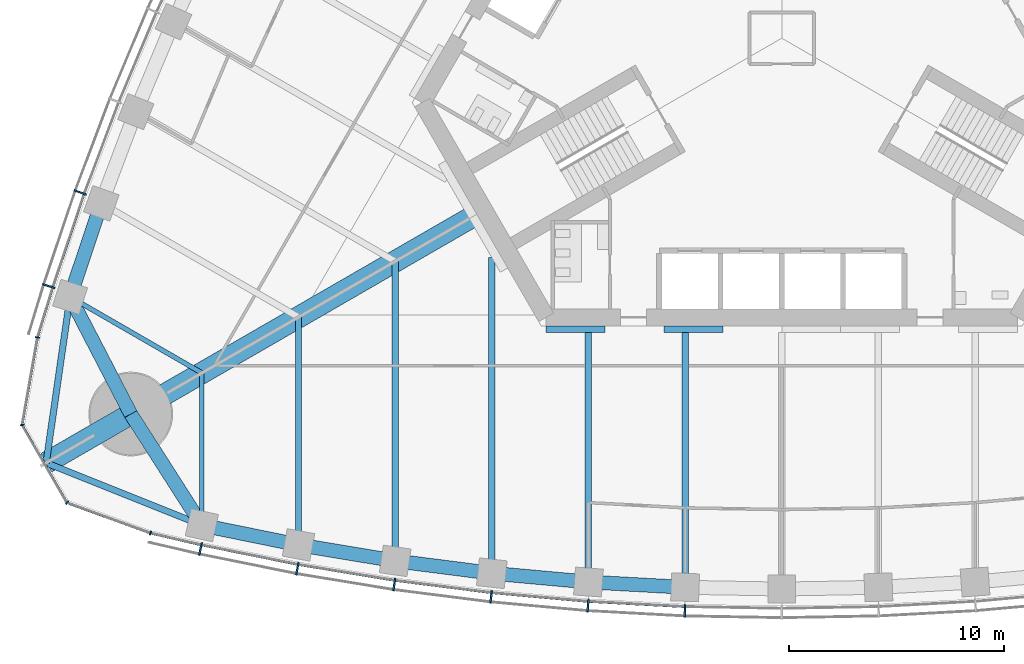
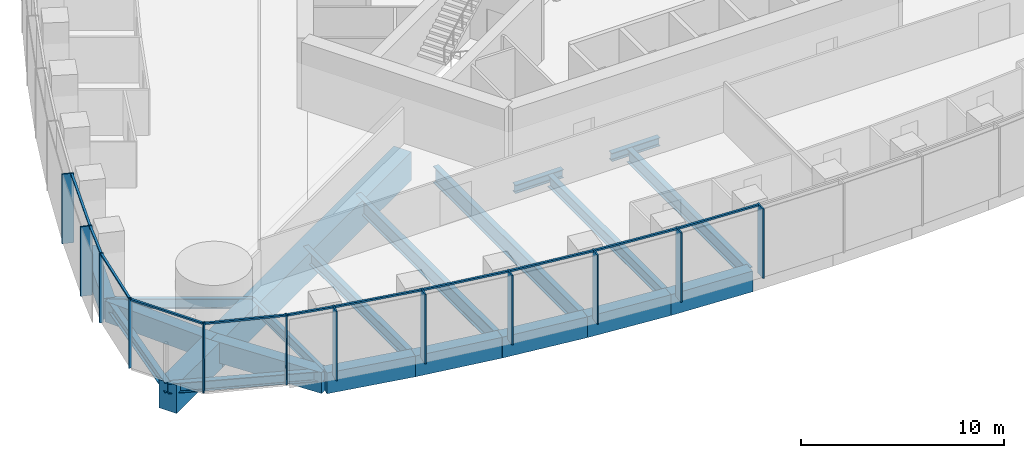
# One storey, part 2 of 19: 23 members, 21 beams, 3 elements without a shape of their own.
"""IFC4 building model written with IfcOpenShell, lengths in metres."""

from ifc_helpers import new_model, si_unit, direction, frame, origin, origin_2d, place, context, subcontext, project, spatial, rectangle, i_section, extrude, material, material_profile, profile_set, type_object, element, aggregate, save


model = new_model("IFC4")

# Units and contexts
model_context = context("Model", 3, precision=1e-05, world=origin(), true_north=direction((0.0, 1.0)))
body_context = subcontext(model_context, "Body", "Model", "MODEL_VIEW")
ifc_project = project(units=[si_unit("LENGTHUNIT", "METRE"), si_unit("AREAUNIT", "SQUARE_METRE"), si_unit("VOLUMEUNIT", "CUBIC_METRE"), si_unit("PLANEANGLEUNIT", "RADIAN"), si_unit("MASSUNIT", "GRAM", prefix="KILO")], contexts=[model_context])

# Site, building, storey
site_placement = place(None, origin())
site = spatial("IfcSite", under=ifc_project, at=site_placement, CompositionType="ELEMENT")
building_placement = place(site_placement, origin())
building = spatial("IfcBuilding", under=site, at=building_placement, Name="Trefoil Bronze Tower", CompositionType="ELEMENT")
storey_placement = place(building_placement, frame((0.0, 0.0, 132.5)))
storey = spatial("IfcBuildingStorey", under=building, at=storey_placement, Name="L30", CompositionType="ELEMENT", Elevation=132.5)

# Curtain wall, members
ifc_material_1 = material(Name="Tinted solar-control glass", Category="glass")
curtain_wall_type_1 = type_object("IfcCurtainWallType", Name="Bronze office curtain wall", PredefinedType="USERDEFINED", material=ifc_material_1)
curtain_wall_1_placement = place(storey_placement, origin())
curtain_wall_1 = element("IfcCurtainWall", 1, at=curtain_wall_1_placement, inside=storey, type_object=curtain_wall_type_1, Name="CW-A L30 F1", ObjectType="CURTAIN WALL", PredefinedType="USERDEFINED")
ifc_material_2 = material(Name="Bronze-finish aluminium", Category="aluminium")
ifc_material_profile_1 = material_profile(ifc_material_2, rectangle(XDim=0.60009765625, YDim=0.080078125, at=origin_2d()), Name="CW-A mullion")
ifc_profile_set_1 = profile_set([ifc_material_profile_1], Name="Bronze-finish aluminium")
member_type_1 = type_object("IfcMemberType", Name="Bronze office curtain wall mullion", PredefinedType="MULLION", material=ifc_profile_set_1)
member_1_placement = place(storey_placement, frame((-27.0634765625, -23.7890625, 0.0), z_axis=(0.0, 0.0, 1.0), x_axis=(0.21197042503, 0.977276081214, 0.0)))
member_1 = element("IfcMember", 2, at=member_1_placement, type_object=member_type_1, Name="CW-A L30 F1 mullion 2", PredefinedType="MULLION", context=body_context, shape_type="SweptSolid", body=[
    extrude(rectangle(XDim=0.60009765625, YDim=0.080078125, at=origin_2d()), origin(), (0.0, 0.0, 1.0), 4.179931640625),
])
member_2_placement = place(storey_placement, frame((-22.553955078125, -24.700927734375, 0.0), z_axis=(0.0, 0.0, 1.0), x_axis=(0.180240853954, 0.98362250613, 0.0)))
member_2 = element("IfcMember", 3, at=member_2_placement, type_object=member_type_1, Name="CW-A L30 F1 mullion 3", PredefinedType="MULLION", context=body_context, shape_type="SweptSolid", body=[
    extrude(rectangle(XDim=0.60009765625, YDim=0.080078125, at=origin_2d()), origin(), (0.0, 0.0, 1.0), 4.179931640625),
])
member_3_placement = place(storey_placement, frame((-18.043212890625, -25.4423828125, 0.0), z_axis=(0.0, 0.0, 1.0), x_axis=(0.144192103798, 0.989549714366, 0.0)))
member_3 = element("IfcMember", 4, at=member_3_placement, type_object=member_type_1, Name="CW-A L30 F1 mullion 4", PredefinedType="MULLION", context=body_context, shape_type="SweptSolid", body=[
    extrude(rectangle(XDim=0.60009765625, YDim=0.080078125, at=origin_2d()), origin(), (0.0, 0.0, 1.0), 4.179931640625),
])
member_4_placement = place(storey_placement, frame((-13.532470703125, -26.01611328125, 0.0), z_axis=(0.0, 0.0, 1.0), x_axis=(0.108143747013, 0.994135267447, 0.0)))
member_4 = element("IfcMember", 5, at=member_4_placement, type_object=member_type_1, Name="CW-A L30 F1 mullion 5", PredefinedType="MULLION", context=body_context, shape_type="SweptSolid", body=[
    extrude(rectangle(XDim=0.60009765625, YDim=0.080078125, at=origin_2d()), origin(), (0.0, 0.0, 1.0), 4.179931640625),
])
member_5_placement = place(storey_placement, frame((-9.021728515625, -26.424072265625, 0.0), z_axis=(0.0, 0.0, 1.0), x_axis=(0.072095676284, 0.997397720802, 0.0)))
member_5 = element("IfcMember", 6, at=member_5_placement, type_object=member_type_1, Name="CW-A L30 F1 mullion 6", PredefinedType="MULLION", context=body_context, shape_type="SweptSolid", body=[
    extrude(rectangle(XDim=0.60009765625, YDim=0.080078125, at=origin_2d()), origin(), (0.0, 0.0, 1.0), 4.179931640625),
])
member_6_placement = place(storey_placement, frame((-4.5107421875, -26.66845703125, 0.0), z_axis=(0.0, 0.0, 1.0), x_axis=(0.036047792107, 0.999350067136, 0.0)))
member_6 = element("IfcMember", 7, at=member_6_placement, type_object=member_type_1, Name="CW-A L30 F1 mullion 7", PredefinedType="MULLION", context=body_context, shape_type="SweptSolid", body=[
    extrude(rectangle(XDim=0.60009765625, YDim=0.080078125, at=origin_2d()), origin(), (0.0, 0.0, 1.0), 4.179931640625),
])

curtain_wall_2_placement = place(storey_placement, origin())
curtain_wall_2 = element("IfcCurtainWall", 8, at=curtain_wall_2_placement, inside=storey, type_object=curtain_wall_type_1, Name="CW-A L30 F3", ObjectType="CURTAIN WALL", PredefinedType="USERDEFINED")
member_7_placement = place(storey_placement, frame((-32.668701171875, -7.181884765625, 0.0), z_axis=(0.0, 0.0, 1.0), x_axis=(0.94196250502, -0.335718094742, 0.0)))
member_7 = element("IfcMember", 9, at=member_7_placement, type_object=member_type_1, Name="CW-A L30 F3 mullion 13", PredefinedType="MULLION", context=body_context, shape_type="SweptSolid", body=[
    extrude(rectangle(XDim=0.60009765625, YDim=0.080078125, at=origin_2d()), origin(), (0.0, 0.0, 1.0), 4.179931640625),
])
member_8_placement = place(storey_placement, frame((-34.1337890625, -11.543212890625, 0.0), z_axis=(0.0, 0.0, 1.0), x_axis=(0.952331125357, -0.30506626768, 0.0)))
member_8 = element("IfcMember", 10, at=member_8_placement, type_object=member_type_1, Name="CW-A L30 F3 mullion 14", PredefinedType="MULLION", context=body_context, shape_type="SweptSolid", body=[
    extrude(rectangle(XDim=0.60009765625, YDim=0.080078125, at=origin_2d()), origin(), (0.0, 0.0, 1.0), 4.179931640625),
])

# Member
ifc_material_3 = material(Name="Bronze-finish aluminium", Category="aluminium")
ifc_material_profile_2 = material_profile(ifc_material_3, rectangle(XDim=0.1201171875, YDim=0.10009765625, at=origin_2d()), Name="CW-A transom")
ifc_profile_set_2 = profile_set([ifc_material_profile_2], Name="Bronze-finish aluminium")
member_type_2 = type_object("IfcMemberType", Name="Bronze office curtain wall transom", PredefinedType="USERDEFINED", material=ifc_profile_set_2)
member_9_placement = place(storey_placement, frame((-29.34130859375, -23.05615234375, 4.1298828125), z_axis=(0.974206243495, -0.225659467196, 0.0), x_axis=(0.225659467196, 0.974206243495, 0.0)))
member_9 = element("IfcMember", 11, at=member_9_placement, type_object=member_type_2, Name="CW-A L30 F1 transom 1", ObjectType="TRANSOM", PredefinedType="USERDEFINED", context=body_context, shape_type="SweptSolid", body=[
    extrude(rectangle(XDim=0.1201171875, YDim=0.10009765625, at=origin_2d()), origin(), (0.0, 0.0, 1.0), 2.340087890625),
])

member_10_placement = place(storey_placement, frame((-26.980712890625, -23.601806640625, 4.1298828125), z_axis=(0.980153749225, -0.198238815273, 0.0), x_axis=(0.198238815273, 0.980153749225, 0.0)))
member_10 = element("IfcMember", 12, at=member_10_placement, type_object=member_type_2, Name="CW-A L30 F1 transom 2", ObjectType="TRANSOM", PredefinedType="USERDEFINED", context=body_context, shape_type="SweptSolid", body=[
    extrude(rectangle(XDim=0.1201171875, YDim=0.10009765625, at=origin_2d()), origin(), (0.0, 0.0, 1.0), 4.51123046875),
])

member_11_placement = place(storey_placement, frame((-22.476806640625, -24.510986328125, 4.1298828125), z_axis=(0.986755265284, -0.162216048636, 0.0), x_axis=(0.162216048636, 0.986755265284, 0.0)))
member_11 = element("IfcMember", 13, at=member_11_placement, type_object=member_type_2, Name="CW-A L30 F1 transom 3", ObjectType="TRANSOM", PredefinedType="USERDEFINED", context=body_context, shape_type="SweptSolid", body=[
    extrude(rectangle(XDim=0.1201171875, YDim=0.10009765625, at=origin_2d()), origin(), (0.0, 0.0, 1.0), 4.48046875),
])

member_12_placement = place(storey_placement, frame((-17.972900390625, -25.249755859375, 4.1298828125), z_axis=(0.992008387848, -0.12617193998, 0.0), x_axis=(0.12617193998, 0.992008387848, 0.0)))
member_12 = element("IfcMember", 14, at=member_12_placement, type_object=member_type_2, Name="CW-A L30 F1 transom 4", ObjectType="TRANSOM", PredefinedType="USERDEFINED", context=body_context, shape_type="SweptSolid", body=[
    extrude(rectangle(XDim=0.1201171875, YDim=0.10009765625, at=origin_2d()), origin(), (0.0, 0.0, 1.0), 4.456298828125),
])

member_13_placement = place(storey_placement, frame((-13.46923828125, -25.821044921875, 4.1298828125), z_axis=(0.995932787062, -0.090099298863, 0.0), x_axis=(0.090099298863, 0.995932787062, 0.0)))
member_13 = element("IfcMember", 15, at=member_13_placement, type_object=member_type_2, Name="CW-A L30 F1 transom 5", ObjectType="TRANSOM", PredefinedType="USERDEFINED", context=body_context, shape_type="SweptSolid", body=[
    extrude(rectangle(XDim=0.1201171875, YDim=0.10009765625, at=origin_2d()), origin(), (0.0, 0.0, 1.0), 4.4384765625),
])

member_14_placement = place(storey_placement, frame((-8.965576171875, -26.22705078125, 4.1298828125), z_axis=(0.998538253569, -0.054049571306, 0.0), x_axis=(0.054049571306, 0.998538253569, 0.0)))
member_14 = element("IfcMember", 16, at=member_14_placement, type_object=member_type_2, Name="CW-A L30 F1 transom 6", ObjectType="TRANSOM", PredefinedType="USERDEFINED", context=body_context, shape_type="SweptSolid", body=[
    extrude(rectangle(XDim=0.1201171875, YDim=0.10009765625, at=origin_2d()), origin(), (0.0, 0.0, 1.0), 4.4267578125),
])

aggregate(curtain_wall_1, [member_1, member_2, member_3, member_4, member_5, member_6, member_9, member_10, member_11, member_12, member_13, member_14])

member_15_placement = place(storey_placement, frame((-32.49365234375, -7.28857421875, 4.1298828125), z_axis=(-0.318386323729, -0.947961048178, 0.0), x_axis=(0.947961048178, -0.318386323729, 0.0)))
member_15 = element("IfcMember", 17, at=member_15_placement, type_object=member_type_2, Name="CW-A L30 F3 transom 13", ObjectType="TRANSOM", PredefinedType="USERDEFINED", context=body_context, shape_type="SweptSolid", body=[
    extrude(rectangle(XDim=0.1201171875, YDim=0.10009765625, at=origin_2d()), origin(), (0.0, 0.0, 1.0), 4.51123046875),
])

member_16_placement = place(storey_placement, frame((-33.955322265625, -11.643798828125, 4.1298828125), z_axis=(-0.291680468798, -0.956515814883, 0.0), x_axis=(0.956515814883, -0.291680468798, 0.0)))
member_16 = element("IfcMember", 18, at=member_16_placement, type_object=member_type_2, Name="CW-A L30 F3 transom 14", ObjectType="TRANSOM", PredefinedType="USERDEFINED", context=body_context, shape_type="SweptSolid", body=[
    extrude(rectangle(XDim=0.1201171875, YDim=0.10009765625, at=origin_2d()), origin(), (0.0, 0.0, 1.0), 2.34033203125),
])

aggregate(curtain_wall_2, [member_7, member_8, member_15, member_16])

# Curtain wall, members
ifc_material_4 = material(Name="Tinted solar-control glass", Category="glass")
curtain_wall_type_2 = type_object("IfcCurtainWallType", Name="Bronze rounded corner curtain wall", PredefinedType="USERDEFINED", material=ifc_material_4)
curtain_wall_3_placement = place(storey_placement, origin())
curtain_wall_3 = element("IfcCurtainWall", 19, at=curtain_wall_3_placement, inside=storey, type_object=curtain_wall_type_2, Name="CW-B L30 K3", ObjectType="CURTAIN WALL", PredefinedType="USERDEFINED")
ifc_material_5 = material(Name="Bronze-finish aluminium", Category="aluminium")
ifc_material_profile_3 = material_profile(ifc_material_5, rectangle(XDim=0.199951171875, YDim=0.06005859375, at=origin_2d()), Name="CW-B mullion")
ifc_profile_set_3 = profile_set([ifc_material_profile_3], Name="Bronze-finish aluminium")
member_type_3 = type_object("IfcMemberType", Name="Bronze rounded corner curtain wall mullion", PredefinedType="MULLION", material=ifc_profile_set_3)
member_17_placement = place(storey_placement, frame((-34.65234375, -13.932373046875, 0.0), z_axis=(0.0, 0.0, 1.0), x_axis=(0.984807753012, -0.173648177667, 0.0)))
member_17 = element("IfcMember", 20, at=member_17_placement, type_object=member_type_3, Name="CW-B L30 K3 mullion 1", PredefinedType="MULLION", context=body_context, shape_type="SweptSolid", body=[
    extrude(rectangle(XDim=0.199951171875, YDim=0.06005859375, at=origin_2d()), origin(), (0.0, 0.0, 1.0), 4.179931640625),
])
member_18_placement = place(storey_placement, frame((-35.364990234375, -18.009033203125, 0.0), z_axis=(0.0, 0.0, 1.0), x_axis=(0.984807753012, 0.173648177667, 0.0)))
member_18 = element("IfcMember", 21, at=member_18_placement, type_object=member_type_3, Name="CW-B L30 K3 mullion 2", PredefinedType="MULLION", context=body_context, shape_type="SweptSolid", body=[
    extrude(rectangle(XDim=0.199951171875, YDim=0.06005859375, at=origin_2d()), origin(), (0.0, 0.0, 1.0), 4.179931640625),
])
member_19_placement = place(storey_placement, frame((-33.27880859375, -21.62255859375, 0.0), z_axis=(0.0, 0.0, 1.0), x_axis=(0.642787609687, 0.766044443119, 0.0)))
member_19 = element("IfcMember", 22, at=member_19_placement, type_object=member_type_3, Name="CW-B L30 K3 mullion 3", PredefinedType="MULLION", context=body_context, shape_type="SweptSolid", body=[
    extrude(rectangle(XDim=0.199951171875, YDim=0.06005859375, at=origin_2d()), origin(), (0.0, 0.0, 1.0), 4.179931640625),
])
member_20_placement = place(storey_placement, frame((-29.391845703125, -23.043701171875, 0.0), z_axis=(0.0, 0.0, 1.0), x_axis=(0.342020143326, 0.939692620786, 0.0)))
member_20 = element("IfcMember", 23, at=member_20_placement, type_object=member_type_3, Name="CW-B L30 K3 mullion 4", PredefinedType="MULLION", context=body_context, shape_type="SweptSolid", body=[
    extrude(rectangle(XDim=0.199951171875, YDim=0.06005859375, at=origin_2d()), origin(), (0.0, 0.0, 1.0), 4.179931640625),
])
ifc_material_6 = material(Name="Bronze-finish aluminium", Category="aluminium")
ifc_material_profile_4 = material_profile(ifc_material_6, rectangle(XDim=0.1201171875, YDim=0.10009765625, at=origin_2d()), Name="CW-B transom")
ifc_profile_set_4 = profile_set([ifc_material_profile_4], Name="Bronze-finish aluminium")
member_type_4 = type_object("IfcMemberType", Name="Bronze rounded corner curtain wall transom", PredefinedType="USERDEFINED", material=ifc_profile_set_4)
member_21_placement = place(storey_placement, frame((-34.657470703125, -13.9619140625, 4.1298828125), z_axis=(-0.173682016639, -0.984801785689, 0.0), x_axis=(0.984801785689, -0.173682016639, 0.0)))
member_21 = element("IfcMember", 24, at=member_21_placement, type_object=member_type_4, Name="CW-B L30 K3 transom 1", ObjectType="TRANSOM", PredefinedType="USERDEFINED", context=body_context, shape_type="SweptSolid", body=[
    extrude(rectangle(XDim=0.1201171875, YDim=0.10009765625, at=origin_2d()), origin(), (0.0, 0.0, 1.0), 4.044189453125),
])
member_22_placement = place(storey_placement, frame((-35.338134765625, -18.067626953125, 4.1298828125), z_axis=(0.500015078168, -0.866016698225, 0.0), x_axis=(0.866016698225, 0.500015078168, 0.0)))
member_22 = element("IfcMember", 25, at=member_22_placement, type_object=member_type_4, Name="CW-B L30 K3 transom 2", ObjectType="TRANSOM", PredefinedType="USERDEFINED", context=body_context, shape_type="SweptSolid", body=[
    extrude(rectangle(XDim=0.1201171875, YDim=0.10009765625, at=origin_2d()), origin(), (0.0, 0.0, 1.0), 4.04443359375),
])
member_23_placement = place(storey_placement, frame((-33.220458984375, -21.650146484375, 4.1298828125), z_axis=(0.939684096629, -0.342043562347, 0.0), x_axis=(0.342043562347, 0.939684096629, 0.0)))
member_23 = element("IfcMember", 26, at=member_23_placement, type_object=member_type_4, Name="CW-B L30 K3 transom 3", ObjectType="TRANSOM", PredefinedType="USERDEFINED", context=body_context, shape_type="SweptSolid", body=[
    extrude(rectangle(XDim=0.1201171875, YDim=0.10009765625, at=origin_2d()), origin(), (0.0, 0.0, 1.0), 4.044189453125),
])
aggregate(curtain_wall_3, [member_17, member_18, member_19, member_20, member_21, member_22, member_23])

# Beams
ifc_material_7 = material(Name="Steel C355", Category="steel")
ifc_material_profile_5 = material_profile(ifc_material_7, i_section(OverallWidth=0.300048828125, OverallDepth=0.5, WebThickness=0.014404296875, FlangeThickness=0.028076171875, FilletRadius=0.027099609375, at=origin_2d()), Name="HEB 500")
ifc_profile_set_5 = profile_set([ifc_material_profile_5], Name="Steel C355")
beam_type_1 = type_object("IfcBeamType", Name="Core seat beam HEB 500", PredefinedType="BEAM", material=ifc_profile_set_5)
for number, where, z_axis, x_axis, name in (
    (27, (-10.9697265625, -13.550048828125, -0.449951171875), (1.0, 0.0, 0.0), (0.0, 1.0, 0.0), "Core seat beam F1/-2 L30"),
    (28, (-5.48486328125, -13.550048828125, -0.449951171875), (1.0, 0.0, 0.0), (0.0, 1.0, 0.0), "Core seat beam F1/-1 L30"),
):
    element("IfcBeam", number, at=place(storey_placement, frame(where, z_axis=z_axis, x_axis=x_axis)), inside=storey, type_object=beam_type_1, Name=name, PredefinedType="BEAM", context=body_context, shape_type="SweptSolid", body=[
        extrude(i_section(OverallWidth=0.300048828125, OverallDepth=0.5, WebThickness=0.014404296875, FlangeThickness=0.028076171875, FilletRadius=0.027099609375, at=origin_2d()), origin(), (0.0, 0.0, 1.0), 2.742431640625),
    ])
ifc_material_8 = material(Name="Concrete B80", Category="concrete")
ifc_material_profile_6 = material_profile(ifc_material_8, rectangle(XDim=1.0, YDim=1.699951171875, at=origin_2d()), Name="RC 1000x1700")
ifc_profile_set_6 = profile_set([ifc_material_profile_6], Name="Concrete B80")
beam_type_2 = type_object("IfcBeamType", Name="Corner cantilever RC 1000x1700", PredefinedType="BEAM", material=ifc_profile_set_6)
beam_1_placement = place(storey_placement, frame((-30.310791015625, -17.5, -1.050048828125), z_axis=(-0.866031878637, -0.499988785058, 0.0), x_axis=(0.499988785058, -0.866031878637, 0.0)))
element("IfcBeam", 29, at=beam_1_placement, inside=storey, type_object=beam_type_2, Name="Corner cantilever K3 L30", PredefinedType="BEAM", context=body_context, shape_type="SweptSolid", body=[
    extrude(rectangle(XDim=1.0, YDim=1.699951171875, at=origin_2d()), origin(), (0.0, 0.0, 1.0), 4.54931640625),
])
ifc_material_9 = material(Name="Steel C355", Category="steel")
ifc_material_profile_7 = material_profile(ifc_material_9, i_section(OverallWidth=0.300048828125, OverallDepth=0.60009765625, WebThickness=0.015380859375, FlangeThickness=0.030029296875, FilletRadius=0.027099609375, at=origin_2d()), Name="HEB 600")
ifc_profile_set_7 = profile_set([ifc_material_profile_7], Name="Steel C355")
beam_type_3 = type_object("IfcBeamType", Name="Corner edge beam HEB 600", PredefinedType="BEAM", material=ifc_profile_set_7)
for number, where, z_axis, x_axis, name in (
    (30, (-27.0, -22.67724609375, -0.5), (-0.928375332495, 0.371643972122, 0.0), (-0.371643972122, -0.928375332495, 0.0), "Corner edge beam F1B L30"),
    (31, (-33.13916015625, -12.044189453125, -0.5), (-0.142327214588, -0.989819662357, 0.0), (0.989819662357, -0.142327214588, 0.0), "Corner edge beam F3A L30"),
):
    element("IfcBeam", number, at=place(storey_placement, frame(where, z_axis=z_axis, x_axis=x_axis)), inside=storey, type_object=beam_type_3, Name=name, PredefinedType="BEAM", context=body_context, shape_type="SweptSolid", body=[
        extrude(i_section(OverallWidth=0.300048828125, OverallDepth=0.60009765625, WebThickness=0.015380859375, FlangeThickness=0.030029296875, FilletRadius=0.027099609375, at=origin_2d()), origin(), (0.0, 0.0, 1.0), 7.81005859375),
    ])
ifc_material_10 = material(Name="Concrete B80", Category="concrete")
ifc_material_profile_8 = material_profile(ifc_material_10, rectangle(XDim=1.0, YDim=1.699951171875, at=origin_2d()), Name="RC 1000x1700")
ifc_profile_set_8 = profile_set([ifc_material_profile_8], Name="Concrete B80")
beam_type_4 = type_object("IfcBeamType", Name="Corner girder RC 1000x1700", PredefinedType="BEAM", material=ifc_profile_set_8)
beam_2_placement = place(storey_placement, frame((-14.202880859375, -8.199951171875, -1.050048828125), z_axis=(-0.866022084834, -0.500005748546, 0.0), x_axis=(0.500005748546, -0.866022084834, 0.0)))
element("IfcBeam", 32, at=beam_2_placement, inside=storey, type_object=beam_type_4, Name="Corner girder K3 L30", PredefinedType="BEAM", context=body_context, shape_type="SweptSolid", body=[
    extrude(rectangle(XDim=1.0, YDim=1.699951171875, at=origin_2d()), origin(), (0.0, 0.0, 1.0), 18.599853515625),
])
ifc_material_11 = material(Name="Concrete B80", Category="concrete")
ifc_material_profile_9 = material_profile(ifc_material_11, rectangle(XDim=0.64990234375, YDim=1.25, at=origin_2d()), Name="RC 650x1250")
ifc_profile_set_9 = profile_set([ifc_material_profile_9], Name="Concrete B80")
beam_type_5 = type_object("IfcBeamType", Name="End spandrel beam RC 650x1250", PredefinedType="SPANDREL", material=ifc_profile_set_9)
for number, where, z_axis, x_axis, name in (
    (33, (-30.310791015625, -17.5, -0.824951171875), (0.53874814953, -0.84246687257, 0.0), (0.84246687257, 0.53874814953, 0.0), "Spandrel F1.1 L30"),
    (34, (-33.13916015625, -12.044189453125, -0.824951171875), (0.460244107083, -0.887792409235, 0.0), (0.887792409235, 0.460244107083, 0.0), "Spandrel F3.14 L30"),
):
    element("IfcBeam", number, at=place(storey_placement, frame(where, z_axis=z_axis, x_axis=x_axis)), inside=storey, type_object=beam_type_5, Name=name, PredefinedType="SPANDREL", context=body_context, shape_type="SweptSolid", body=[
        extrude(rectangle(XDim=0.64990234375, YDim=1.25, at=origin_2d()), origin(), (0.0, 0.0, 1.0), 6.145263671875),
    ])
ifc_material_12 = material(Name="Steel C355", Category="steel")
ifc_material_profile_10 = material_profile(ifc_material_12, i_section(OverallWidth=0.300048828125, OverallDepth=1.0, WebThickness=0.01904296875, FlangeThickness=0.035888671875, FilletRadius=0.030029296875, at=origin_2d()), Name="HEB 1000")
ifc_profile_set_10 = profile_set([ifc_material_profile_10], Name="Steel C355")
beam_type_6 = type_object("IfcBeamType", Name="Floor beam HEB 1000", PredefinedType="BEAM", material=ifc_profile_set_10)
beam_3_placement = place(storey_placement, frame((-13.5, -24.9130859375, -0.699951171875), z_axis=(0.0, 1.0, 0.0), x_axis=(-1.0, 0.0, 0.0)))
element("IfcBeam", 35, at=beam_3_placement, inside=storey, type_object=beam_type_6, Name="Floor beam F1/-3 L30", PredefinedType="BEAM", context=body_context, shape_type="SweptSolid", body=[
    extrude(i_section(OverallWidth=0.300048828125, OverallDepth=1.0, WebThickness=0.01904296875, FlangeThickness=0.035888671875, FilletRadius=0.030029296875, at=origin_2d()), origin(), (0.0, 0.0, 1.0), 14.69580078125),
])
ifc_material_13 = material(Name="Steel C355", Category="steel")
ifc_material_profile_11 = material_profile(ifc_material_13, i_section(OverallWidth=0.300048828125, OverallDepth=0.699951171875, WebThickness=0.01708984375, FlangeThickness=0.031982421875, FilletRadius=0.027099609375, at=origin_2d()), Name="HEB 700")
ifc_profile_set_11 = profile_set([ifc_material_profile_11], Name="Steel C355")
beam_type_7 = type_object("IfcBeamType", Name="Floor beam HEB 700", PredefinedType="BEAM", material=ifc_profile_set_11)
beam_4_placement = place(storey_placement, frame((-22.5, -23.592529296875, -0.550048828125), z_axis=(0.0, 1.0, 0.0), x_axis=(-1.0, 0.0, 0.0)))
element("IfcBeam", 36, at=beam_4_placement, inside=storey, type_object=beam_type_7, Name="Floor beam F1/-5 L30", PredefinedType="BEAM", context=body_context, shape_type="SweptSolid", body=[
    extrude(i_section(OverallWidth=0.300048828125, OverallDepth=0.699951171875, WebThickness=0.01708984375, FlangeThickness=0.031982421875, FilletRadius=0.027099609375, at=origin_2d()), origin(), (0.0, 0.0, 1.0), 10.60205078125),
])
beam_5_placement = place(storey_placement, frame((-9.0, -25.32275390625, -0.550048828125), z_axis=(0.0, 1.0, 0.0), x_axis=(-1.0, 0.0, 0.0)))
element("IfcBeam", 37, at=beam_5_placement, inside=storey, type_object=beam_type_7, Name="Floor beam F1/-2 L30", PredefinedType="BEAM", context=body_context, shape_type="SweptSolid", body=[
    extrude(i_section(OverallWidth=0.300048828125, OverallDepth=0.699951171875, WebThickness=0.01708984375, FlangeThickness=0.031982421875, FilletRadius=0.027099609375, at=origin_2d()), origin(), (0.0, 0.0, 1.0), 11.622802734375),
])
ifc_material_14 = material(Name="Steel C355", Category="steel")
ifc_material_profile_12 = material_profile(ifc_material_14, i_section(OverallWidth=0.300048828125, OverallDepth=0.800048828125, WebThickness=0.017578125, FlangeThickness=0.032958984375, FilletRadius=0.030029296875, at=origin_2d()), Name="HEB 800")
ifc_profile_set_12 = profile_set([ifc_material_profile_12], Name="Steel C355")
beam_type_8 = type_object("IfcBeamType", Name="Floor beam HEB 800", PredefinedType="BEAM", material=ifc_profile_set_12)
beam_6_placement = place(storey_placement, frame((-4.5, -25.568115234375, -0.60009765625), z_axis=(0.0, 1.0, 0.0), x_axis=(-1.0, 0.0, 0.0)))
element("IfcBeam", 38, at=beam_6_placement, inside=storey, type_object=beam_type_8, Name="Floor beam F1/-1 L30", PredefinedType="BEAM", context=body_context, shape_type="SweptSolid", body=[
    extrude(i_section(OverallWidth=0.300048828125, OverallDepth=0.800048828125, WebThickness=0.017578125, FlangeThickness=0.032958984375, FilletRadius=0.030029296875, at=origin_2d()), origin(), (0.0, 0.0, 1.0), 11.8681640625),
])
ifc_material_15 = material(Name="Steel C355", Category="steel")
ifc_material_profile_13 = material_profile(ifc_material_15, i_section(OverallWidth=0.300048828125, OverallDepth=0.89990234375, WebThickness=0.0185546875, FlangeThickness=0.034912109375, FilletRadius=0.030029296875, at=origin_2d()), Name="HEB 900")
ifc_profile_set_13 = profile_set([ifc_material_profile_13], Name="Steel C355")
beam_type_9 = type_object("IfcBeamType", Name="Floor beam HEB 900", PredefinedType="BEAM", material=ifc_profile_set_13)
beam_7_placement = place(storey_placement, frame((-18.0, -24.337158203125, -0.64990234375), z_axis=(0.0, 1.0, 0.0), x_axis=(-1.0, 0.0, 0.0)))
element("IfcBeam", 39, at=beam_7_placement, inside=storey, type_object=beam_type_9, Name="Floor beam F1/-4 L30", PredefinedType="BEAM", context=body_context, shape_type="SweptSolid", body=[
    extrude(i_section(OverallWidth=0.300048828125, OverallDepth=0.89990234375, WebThickness=0.0185546875, FlangeThickness=0.034912109375, FilletRadius=0.030029296875, at=origin_2d()), origin(), (0.0, 0.0, 1.0), 13.94482421875),
])
ifc_material_16 = material(Name="Steel C355", Category="steel")
ifc_material_profile_14 = material_profile(ifc_material_16, i_section(OverallWidth=0.219970703125, OverallDepth=0.60009765625, WebThickness=0.011962890625, FlangeThickness=0.01904296875, FilletRadius=0.02392578125, at=origin_2d()), Name="IPE 600")
ifc_profile_set_14 = profile_set([ifc_material_profile_14], Name="Steel C355")
beam_type_10 = type_object("IfcBeamType", Name="Floor beam IPE 600", PredefinedType="BEAM", material=ifc_profile_set_14)
for number, where, z_axis, x_axis, name in (
    (40, (-27.0, -22.67724609375, -0.5), (0.0, 1.0, 0.0), (-1.0, 0.0, 0.0), "Floor beam F1/-6 L30"),
    (41, (-33.13916015625, -12.044189453125, -0.5), (0.866041060244, -0.499972881236, 0.0), (0.499972881236, 0.866041060244, 0.0), "Floor beam F3/+6 L30"),
):
    element("IfcBeam", number, at=place(storey_placement, frame(where, z_axis=z_axis, x_axis=x_axis)), inside=storey, type_object=beam_type_10, Name=name, PredefinedType="BEAM", context=body_context, shape_type="SweptSolid", body=[
        extrude(i_section(OverallWidth=0.219970703125, OverallDepth=0.60009765625, WebThickness=0.011962890625, FlangeThickness=0.01904296875, FilletRadius=0.02392578125, at=origin_2d()), origin(), (0.0, 0.0, 1.0), 7.0888671875),
    ])
ifc_material_17 = material(Name="Concrete B80", Category="concrete")
ifc_material_profile_15 = material_profile(ifc_material_17, rectangle(XDim=0.64990234375, YDim=1.25, at=origin_2d()), Name="RC 650x1250")
ifc_profile_set_15 = profile_set([ifc_material_profile_15], Name="Concrete B80")
beam_type_11 = type_object("IfcBeamType", Name="Spandrel beam RC 650x1250", PredefinedType="SPANDREL", material=ifc_profile_set_15)
beam_8_placement = place(storey_placement, frame((-27.0, -22.67724609375, -0.824951171875), z_axis=(0.979935430296, -0.199315208777, 0.0), x_axis=(0.199315208777, 0.979935430296, 0.0)))
element("IfcBeam", 42, at=beam_8_placement, inside=storey, type_object=beam_type_11, Name="Spandrel F1.2 L30", PredefinedType="SPANDREL", context=body_context, shape_type="SweptSolid", body=[
    extrude(rectangle(XDim=0.64990234375, YDim=1.25, at=origin_2d()), origin(), (0.0, 0.0, 1.0), 4.592041015625),
])
beam_9_placement = place(storey_placement, frame((-22.5, -23.592529296875, -0.824951171875), z_axis=(0.986584214684, -0.163253138823, 0.0), x_axis=(0.163253138823, 0.986584214684, 0.0)))
element("IfcBeam", 43, at=beam_9_placement, inside=storey, type_object=beam_type_11, Name="Spandrel F1.3 L30", PredefinedType="SPANDREL", context=body_context, shape_type="SweptSolid", body=[
    extrude(rectangle(XDim=0.64990234375, YDim=1.25, at=origin_2d()), origin(), (0.0, 0.0, 1.0), 4.561279296875),
])
beam_10_placement = place(storey_placement, frame((-18.0, -24.337158203125, -0.824951171875), z_axis=(0.991909314257, -0.126948463126, 0.0), x_axis=(0.126948463126, 0.991909314257, 0.0)))
element("IfcBeam", 44, at=beam_10_placement, inside=storey, type_object=beam_type_11, Name="Spandrel F1.4 L30", PredefinedType="SPANDREL", context=body_context, shape_type="SweptSolid", body=[
    extrude(rectangle(XDim=0.64990234375, YDim=1.25, at=origin_2d()), origin(), (0.0, 0.0, 1.0), 4.53662109375),
])
beam_11_placement = place(storey_placement, frame((-13.5, -24.9130859375, -0.824951171875), z_axis=(0.995881683815, -0.090662405894, 0.0), x_axis=(0.090662405894, 0.995881683815, 0.0)))
element("IfcBeam", 45, at=beam_11_placement, inside=storey, type_object=beam_type_11, Name="Spandrel F1.5 L30", PredefinedType="SPANDREL", context=body_context, shape_type="SweptSolid", body=[
    extrude(rectangle(XDim=0.64990234375, YDim=1.25, at=origin_2d()), origin(), (0.0, 0.0, 1.0), 4.5185546875),
])
beam_12_placement = place(storey_placement, frame((-9.0, -25.32275390625, -0.824951171875), z_axis=(0.998516832602, -0.054443870267, 0.0), x_axis=(0.054443870267, 0.998516832602, 0.0)))
element("IfcBeam", 46, at=beam_12_placement, inside=storey, type_object=beam_type_11, Name="Spandrel F1.6 L30", PredefinedType="SPANDREL", context=body_context, shape_type="SweptSolid", body=[
    extrude(rectangle(XDim=0.64990234375, YDim=1.25, at=origin_2d()), origin(), (0.0, 0.0, 1.0), 4.506591796875),
])
beam_13_placement = place(storey_placement, frame((-31.681884765625, -7.689208984375, -0.824951171875), z_axis=(-0.31732802068, -0.948315837309, 0.0), x_axis=(0.948315837309, -0.31732802068, 0.0)))
element("IfcBeam", 47, at=beam_13_placement, inside=storey, type_object=beam_type_11, Name="Spandrel F3.13 L30", PredefinedType="SPANDREL", context=body_context, shape_type="SweptSolid", body=[
    extrude(rectangle(XDim=0.64990234375, YDim=1.25, at=origin_2d()), origin(), (0.0, 0.0, 1.0), 4.59228515625),
])

save(model, "model.ifc")
